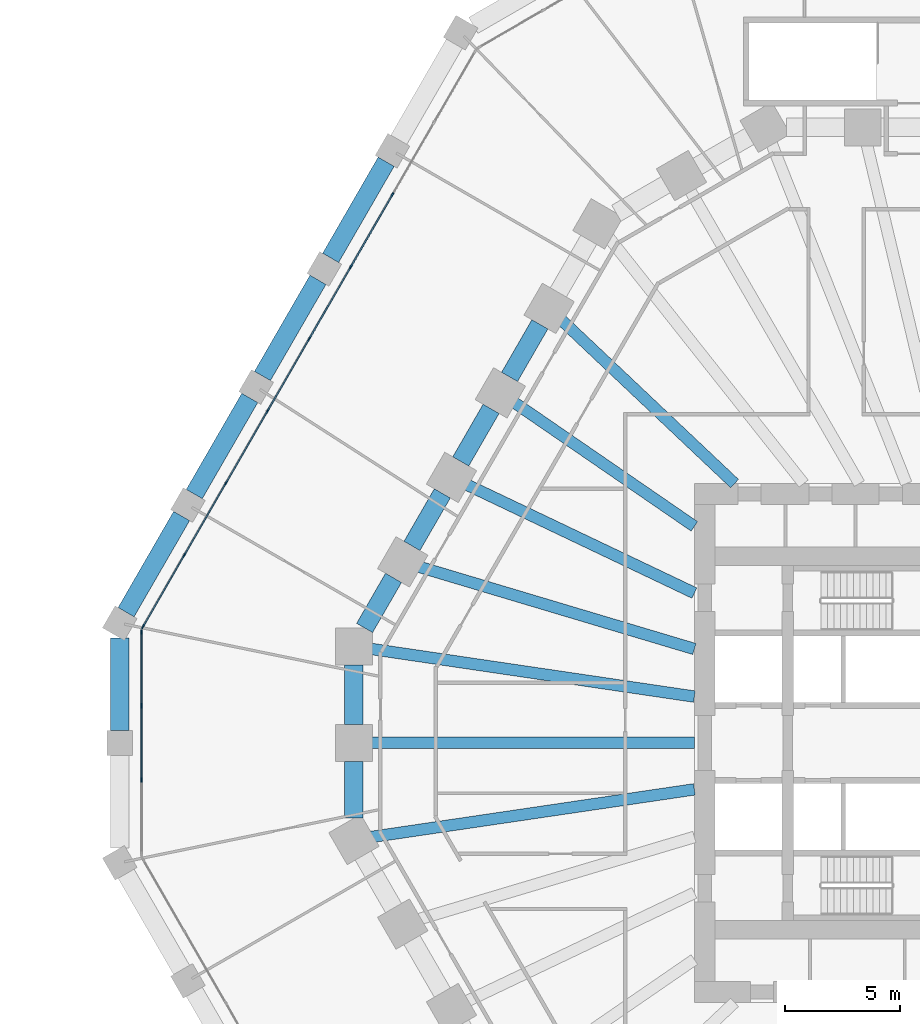
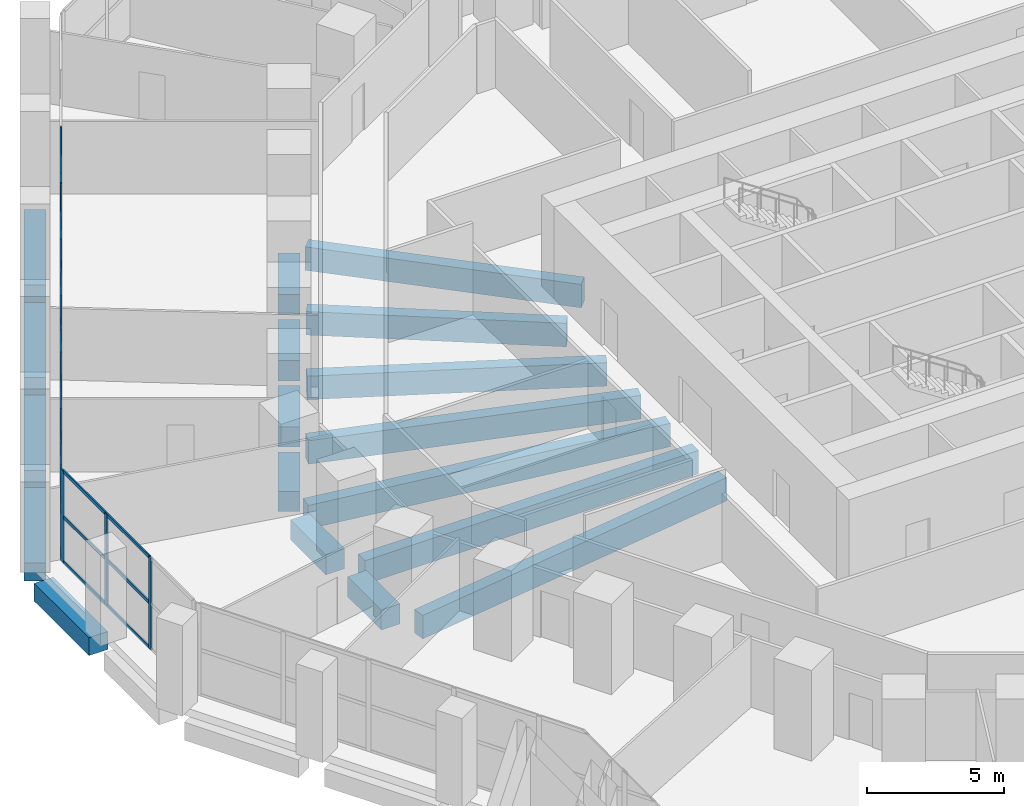
# One storey, part 6 of 38: 34 members, 18 beams, 2 elements without a shape of their own.
"""IFC4 building model written with IfcOpenShell, lengths in metres."""

from ifc_helpers import new_model, si_unit, direction, frame, origin, origin_2d, place, context, subcontext, project, spatial, rectangle, extrude, material, material_profile, profile_set, type_object, element, aggregate, save


model = new_model("IFC4")

# Units and contexts
model_context = context("Model", 3, precision=1e-05, world=origin(), true_north=direction((0.0, 1.0)))
body_context = subcontext(model_context, "Body", "Model", "MODEL_VIEW")
ifc_project = project(units=[si_unit("LENGTHUNIT", "METRE"), si_unit("AREAUNIT", "SQUARE_METRE"), si_unit("VOLUMEUNIT", "CUBIC_METRE"), si_unit("PLANEANGLEUNIT", "RADIAN"), si_unit("MASSUNIT", "GRAM", prefix="KILO")], contexts=[model_context])

# Site, building, storey
site_placement = place(None, origin())
site = spatial("IfcSite", under=ifc_project, at=site_placement, CompositionType="ELEMENT")
building_placement = place(site_placement, origin())
building = spatial("IfcBuilding", under=site, at=building_placement, Name="Frailejon Research Tower", CompositionType="ELEMENT")
storey_placement = place(building_placement, frame((0.0, 0.0, 10.199951171875)))
storey = spatial("IfcBuildingStorey", under=building, at=storey_placement, Name="L02", CompositionType="ELEMENT", Elevation=10.199951171875)

# Beams
ifc_material_1 = material(Name="Concrete C60/75", Category="concrete")
ifc_material_profile_1 = material_profile(ifc_material_1, rectangle(XDim=0.800048828125, YDim=0.800048828125, at=origin_2d()), Name="Base ring beam")
ifc_profile_set_1 = profile_set([ifc_material_profile_1], Name="Concrete C60/75")
beam_type_1 = type_object("IfcBeamType", Name="Base ring beam", PredefinedType="BEAM", material=ifc_profile_set_1)
for number, where, z_axis, x_axis, name in (
    (1, (-27.0166015625, 25.2060546875, -0.75), (-0.50000634465, -0.866021740668, 0.0), (0.866021740668, -0.50000634465, 0.0), "Base ring beam"),
    (2, (-29.973388671875, 20.08447265625, -0.75), (-0.50000634465, -0.866021740668, 0.0), (0.866021740668, -0.50000634465, 0.0), "Base ring beam"),
    (3, (-32.930419921875, 14.962890625, -0.75), (-0.50000634465, -0.866021740668, 0.0), (0.866021740668, -0.50000634465, 0.0), "Base ring beam"),
):
    element("IfcBeam", number, at=place(storey_placement, frame(where, z_axis=z_axis, x_axis=x_axis)), inside=storey, type_object=beam_type_1, Name=name, PredefinedType="BEAM", context=body_context, shape_type="SweptSolid", body=[
        extrude(rectangle(XDim=0.800048828125, YDim=0.800048828125, at=origin_2d()), origin(), (0.0, 0.0, 1.0), 4.81396484375),
    ])
beam_1_placement = place(storey_placement, frame((-35.88720703125, 9.84130859375, -0.75), z_axis=(-0.500028306193, -0.866009060579, 0.0), x_axis=(0.866009060579, -0.500028306193, 0.0)))
element("IfcBeam", 4, at=beam_1_placement, inside=storey, type_object=beam_type_1, Name="Base ring beam", PredefinedType="BEAM", context=body_context, shape_type="SweptSolid", body=[
    extrude(rectangle(XDim=0.800048828125, YDim=0.800048828125, at=origin_2d()), origin(), (0.0, 0.0, 1.0), 4.813720703125),
])
beam_2_placement = place(storey_placement, frame((-38.569091796875, 4.56103515625, -0.75), z_axis=(0.0, -1.0, 0.0), x_axis=(1.0, 0.0, 0.0)))
element("IfcBeam", 5, at=beam_2_placement, inside=storey, type_object=beam_type_1, Name="Base ring beam", PredefinedType="BEAM", context=body_context, shape_type="SweptSolid", body=[
    extrude(rectangle(XDim=0.800048828125, YDim=0.800048828125, at=origin_2d()), origin(), (0.0, 0.0, 1.0), 4.010986328125),
])
ifc_material_2 = material(Name="Concrete C60/75", Category="concrete")
ifc_material_profile_2 = material_profile(ifc_material_2, rectangle(XDim=0.5, YDim=1.050048828125, at=origin_2d()), Name="Girder 500x1050")
ifc_profile_set_2 = profile_set([ifc_material_profile_2], Name="Concrete C60/75")
beam_type_2 = type_object("IfcBeamType", Name="Girder 500x1050", PredefinedType="BEAM", material=ifc_profile_set_2)
beam_3_placement = place(storey_placement, frame((-19.460205078125, 18.3857421875, -0.875), z_axis=(0.72688803019, -0.686755991285, 0.0), x_axis=(0.686755991285, 0.72688803019, 0.0)))
element("IfcBeam", 6, at=beam_3_placement, inside=storey, type_object=beam_type_2, Name="Girder 500x1050", PredefinedType="BEAM", context=body_context, shape_type="SweptSolid", body=[
    extrude(rectangle(XDim=0.5, YDim=1.050048828125, at=origin_2d()), origin(), (0.0, 0.0, 1.0), 10.390625),
])
beam_4_placement = place(storey_placement, frame((-21.52734375, 14.8125, -0.875), z_axis=(0.823825821578, -0.566843025626, 0.0), x_axis=(0.566843025626, 0.823825821578, 0.0)))
element("IfcBeam", 7, at=beam_4_placement, inside=storey, type_object=beam_type_2, Name="Girder 500x1050", PredefinedType="BEAM", context=body_context, shape_type="SweptSolid", body=[
    extrude(rectangle(XDim=0.5, YDim=1.050048828125, at=origin_2d()), origin(), (0.0, 0.0, 1.0), 9.56201171875),
])
beam_5_placement = place(storey_placement, frame((-23.591796875, 11.23681640625, -0.875), z_axis=(0.902829780982, -0.429998123917, 0.0), x_axis=(0.429998123917, 0.902829780982, 0.0)))
element("IfcBeam", 8, at=beam_5_placement, inside=storey, type_object=beam_type_2, Name="Girder 500x1050", PredefinedType="BEAM", context=body_context, shape_type="SweptSolid", body=[
    extrude(rectangle(XDim=0.5, YDim=1.050048828125, at=origin_2d()), origin(), (0.0, 0.0, 1.0), 11.011962890625),
])
beam_6_placement = place(storey_placement, frame((-25.652587890625, 7.66015625, -0.875), z_axis=(0.958189747387, -0.286133549242, 0.0), x_axis=(0.286133549242, 0.958189747387, 0.0)))
element("IfcBeam", 9, at=beam_6_placement, inside=storey, type_object=beam_type_2, Name="Girder 500x1050", PredefinedType="BEAM", context=body_context, shape_type="SweptSolid", body=[
    extrude(rectangle(XDim=0.5, YDim=1.050048828125, at=origin_2d()), origin(), (0.0, 0.0, 1.0), 12.5263671875),
])
beam_7_placement = place(storey_placement, frame((-27.76123046875, 4.091552734375, -0.875), z_axis=(0.989312272049, -0.145812305287, 0.0), x_axis=(0.145812305287, 0.989312272049, 0.0)))
element("IfcBeam", 10, at=beam_7_placement, inside=storey, type_object=beam_type_2, Name="Girder 500x1050", PredefinedType="BEAM", context=body_context, shape_type="SweptSolid", body=[
    extrude(rectangle(XDim=0.5, YDim=1.050048828125, at=origin_2d()), origin(), (0.0, 0.0, 1.0), 14.263671875),
])
beam_8_placement = place(storey_placement, frame((-27.7626953125, 0.0, -0.875), z_axis=(1.0, 0.0, 0.0), x_axis=(0.0, 1.0, 0.0)))
element("IfcBeam", 11, at=beam_8_placement, inside=storey, type_object=beam_type_2, Name="Girder 500x1050", PredefinedType="BEAM", context=body_context, shape_type="SweptSolid", body=[
    extrude(rectangle(XDim=0.5, YDim=1.050048828125, at=origin_2d()), origin(), (0.0, 0.0, 1.0), 14.11279296875),
])
beam_9_placement = place(storey_placement, frame((-27.7099609375, -4.083984375, -0.875), z_axis=(0.989312392522, 0.145811487893, 0.0), x_axis=(-0.145811487893, 0.989312392522, 0.0)))
element("IfcBeam", 12, at=beam_9_placement, inside=storey, type_object=beam_type_2, Name="Girder 500x1050", PredefinedType="BEAM", context=body_context, shape_type="SweptSolid", body=[
    extrude(rectangle(XDim=0.5, YDim=1.050048828125, at=origin_2d()), origin(), (0.0, 0.0, 1.0), 14.2119140625),
])
ifc_material_3 = material(Name="Concrete C60/75", Category="concrete")
ifc_material_profile_3 = material_profile(ifc_material_3, rectangle(XDim=0.800048828125, YDim=0.89990234375, at=origin_2d()), Name="Podium ring beam")
ifc_profile_set_3 = profile_set([ifc_material_profile_3], Name="Concrete C60/75")
beam_type_3 = type_object("IfcBeamType", Name="Podium ring beam", PredefinedType="BEAM", material=ifc_profile_set_3)
beam_10_placement = place(storey_placement, frame((-20.348876953125, 18.15478515625, -0.800048828125), z_axis=(-0.499949948743, -0.866054298963, 0.0), x_axis=(0.866054298963, -0.499949948743, 0.0)))
element("IfcBeam", 13, at=beam_10_placement, inside=storey, type_object=beam_type_3, Name="Podium ring beam", PredefinedType="BEAM", context=body_context, shape_type="SweptSolid", body=[
    extrude(rectangle(XDim=0.800048828125, YDim=0.89990234375, at=origin_2d()), origin(), (0.0, 0.0, 1.0), 2.632080078125),
])
beam_11_placement = place(storey_placement, frame((-22.46484375, 14.48974609375, -0.800048828125), z_axis=(-0.500019514865, -0.866014136579, 0.0), x_axis=(0.866014136579, -0.500019514865, 0.0)))
element("IfcBeam", 14, at=beam_11_placement, inside=storey, type_object=beam_type_3, Name="Podium ring beam", PredefinedType="BEAM", context=body_context, shape_type="SweptSolid", body=[
    extrude(rectangle(XDim=0.800048828125, YDim=0.89990234375, at=origin_2d()), origin(), (0.0, 0.0, 1.0), 2.63232421875),
])
beam_12_placement = place(storey_placement, frame((-24.580810546875, 10.82470703125, -0.800048828125), z_axis=(-0.499990112884, -0.866031112038, 0.0), x_axis=(0.866031112038, -0.499990112884, 0.0)))
element("IfcBeam", 15, at=beam_12_placement, inside=storey, type_object=beam_type_3, Name="Podium ring beam", PredefinedType="BEAM", context=body_context, shape_type="SweptSolid", body=[
    extrude(rectangle(XDim=0.800048828125, YDim=0.89990234375, at=origin_2d()), origin(), (0.0, 0.0, 1.0), 2.6318359375),
])
beam_13_placement = place(storey_placement, frame((-26.69677734375, 7.15966796875, -0.800048828125), z_axis=(-0.500022970635, -0.866012141276, 0.0), x_axis=(0.866012141276, -0.500022970635, 0.0)))
element("IfcBeam", 16, at=beam_13_placement, inside=storey, type_object=beam_type_3, Name="Podium ring beam", PredefinedType="BEAM", context=body_context, shape_type="SweptSolid", body=[
    extrude(rectangle(XDim=0.800048828125, YDim=0.89990234375, at=origin_2d()), origin(), (0.0, 0.0, 1.0), 2.50830078125),
])
beam_14_placement = place(storey_placement, frame((-28.412841796875, 3.3876953125, -0.800048828125), z_axis=(0.0, -1.0, 0.0), x_axis=(1.0, 0.0, 0.0)))
element("IfcBeam", 17, at=beam_14_placement, inside=storey, type_object=beam_type_3, Name="Podium ring beam", PredefinedType="BEAM", context=body_context, shape_type="SweptSolid", body=[
    extrude(rectangle(XDim=0.800048828125, YDim=0.89990234375, at=origin_2d()), origin(), (0.0, 0.0, 1.0), 2.587646484375),
])
beam_15_placement = place(storey_placement, frame((-28.412841796875, -0.800048828125, -0.800048828125), z_axis=(0.0, -1.0, 0.0), x_axis=(1.0, 0.0, 0.0)))
element("IfcBeam", 18, at=beam_15_placement, inside=storey, type_object=beam_type_3, Name="Podium ring beam", PredefinedType="BEAM", context=body_context, shape_type="SweptSolid", body=[
    extrude(rectangle(XDim=0.800048828125, YDim=0.89990234375, at=origin_2d()), origin(), (0.0, 0.0, 1.0), 2.4638671875),
])

# Curtain wall, members
ifc_material_4 = material(Name="Aluminium curtain wall", Category="aluminium")
curtain_wall_type = type_object("IfcCurtainWallType", Name="Podium stick curtain wall system", PredefinedType="NOTDEFINED", material=ifc_material_4)
curtain_wall_1_placement = place(storey_placement, origin())
curtain_wall_1 = element("IfcCurtainWall", 19, at=curtain_wall_1_placement, inside=storey, type_object=curtain_wall_type, Name="Curtain wall L02", PredefinedType="NOTDEFINED")
ifc_material_5 = material(Name="Aluminium extrusion", Category="aluminium")
ifc_material_profile_4 = material_profile(ifc_material_5, rectangle(XDim=0.06005859375, YDim=0.199951171875, at=origin_2d()), Name="Podium stick curtain wall mullion 60x200")
ifc_profile_set_4 = profile_set([ifc_material_profile_4], Name="Aluminium extrusion")
member_type_1 = type_object("IfcMemberType", Name="Podium stick curtain wall mullion 60x200", PredefinedType="MULLION", material=ifc_profile_set_4)
member_1_placement = place(storey_placement, frame((-26.74658203125, 23.7734375, 0.0), z_axis=(0.0, 0.0, 1.0), x_axis=(0.86602632934, -0.499998396888, 0.0)))
member_1 = element("IfcMember", 20, at=member_1_placement, type_object=member_type_1, Name="CW2-038 mullion 3", PredefinedType="MULLION", context=body_context, shape_type="SweptSolid", body=[
    extrude(rectangle(XDim=0.06005859375, YDim=0.199951171875, at=origin_2d()), origin(), (0.0, 0.0, 1.0), 4.10009765625),
])
member_2_placement = place(storey_placement, frame((-28.550537109375, 20.649169921875, 0.0), z_axis=(0.0, 0.0, 1.0), x_axis=(0.86602632934, -0.499998396888, 0.0)))
member_2 = element("IfcMember", 21, at=member_2_placement, type_object=member_type_1, Name="CW2-038 mullion 4", PredefinedType="MULLION", context=body_context, shape_type="SweptSolid", body=[
    extrude(rectangle(XDim=0.06005859375, YDim=0.199951171875, at=origin_2d()), origin(), (0.0, 0.0, 1.0), 4.10009765625),
])
member_3_placement = place(storey_placement, frame((-30.354248046875, 17.52490234375, 0.0), z_axis=(0.0, 0.0, 1.0), x_axis=(0.86602632934, -0.499998396888, 0.0)))
member_3 = element("IfcMember", 22, at=member_3_placement, type_object=member_type_1, Name="CW2-038 mullion 5", PredefinedType="MULLION", context=body_context, shape_type="SweptSolid", body=[
    extrude(rectangle(XDim=0.06005859375, YDim=0.199951171875, at=origin_2d()), origin(), (0.0, 0.0, 1.0), 4.10009765625),
])
member_4_placement = place(storey_placement, frame((-32.157958984375, 14.40087890625, 0.0), z_axis=(0.0, 0.0, 1.0), x_axis=(0.86602632934, -0.499998396888, 0.0)))
member_4 = element("IfcMember", 23, at=member_4_placement, type_object=member_type_1, Name="CW2-038 mullion 6", PredefinedType="MULLION", context=body_context, shape_type="SweptSolid", body=[
    extrude(rectangle(XDim=0.06005859375, YDim=0.199951171875, at=origin_2d()), origin(), (0.0, 0.0, 1.0), 4.10009765625),
])
member_5_placement = place(storey_placement, frame((-33.961669921875, 11.276611328125, 0.0), z_axis=(0.0, 0.0, 1.0), x_axis=(0.86602632934, -0.499998396888, 0.0)))
member_5 = element("IfcMember", 24, at=member_5_placement, type_object=member_type_1, Name="CW2-038 mullion 7", PredefinedType="MULLION", context=body_context, shape_type="SweptSolid", body=[
    extrude(rectangle(XDim=0.06005859375, YDim=0.199951171875, at=origin_2d()), origin(), (0.0, 0.0, 1.0), 4.10009765625),
])
member_6_placement = place(storey_placement, frame((-35.765380859375, 8.15234375, 0.0), z_axis=(0.0, 0.0, 1.0), x_axis=(0.86602632934, -0.499998396888, 0.0)))
member_6 = element("IfcMember", 25, at=member_6_placement, type_object=member_type_1, Name="CW2-038 mullion 8", PredefinedType="MULLION", context=body_context, shape_type="SweptSolid", body=[
    extrude(rectangle(XDim=0.06005859375, YDim=0.199951171875, at=origin_2d()), origin(), (0.0, 0.0, 1.0), 4.10009765625),
])
member_7_placement = place(storey_placement, frame((-37.55419921875, 5.05419921875, 0.0), z_axis=(0.0, 0.0, 1.0), x_axis=(0.86602632934, -0.499998396888, 0.0)))
member_7 = element("IfcMember", 26, at=member_7_placement, type_object=member_type_1, Name="CW2-038 mullion 9", PredefinedType="MULLION", context=body_context, shape_type="SweptSolid", body=[
    extrude(rectangle(XDim=0.06005859375, YDim=0.199951171875, at=origin_2d()), origin(), (0.0, 0.0, 1.0), 4.10009765625),
])

curtain_wall_2_placement = place(storey_placement, origin())
curtain_wall_2 = element("IfcCurtainWall", 27, at=curtain_wall_2_placement, inside=storey, type_object=curtain_wall_type, Name="Curtain wall L02", PredefinedType="NOTDEFINED")
member_8_placement = place(storey_placement, frame((-37.619140625, 4.8115234375, 0.0), z_axis=(0.0, 0.0, 1.0), x_axis=(1.0, 0.0, 0.0)))
member_8 = element("IfcMember", 28, at=member_8_placement, type_object=member_type_1, Name="CW2-039 mullion 1", PredefinedType="MULLION", context=body_context, shape_type="SweptSolid", body=[
    extrude(rectangle(XDim=0.06005859375, YDim=0.199951171875, at=origin_2d()), origin(), (0.0, 0.0, 1.0), 4.10009765625),
])
member_9_placement = place(storey_placement, frame((-37.619140625, 1.61376953125, 0.0), z_axis=(0.0, 0.0, 1.0), x_axis=(1.0, 0.0, 0.0)))
member_9 = element("IfcMember", 29, at=member_9_placement, type_object=member_type_1, Name="CW2-039 mullion 2", PredefinedType="MULLION", context=body_context, shape_type="SweptSolid", body=[
    extrude(rectangle(XDim=0.06005859375, YDim=0.199951171875, at=origin_2d()), origin(), (0.0, 0.0, 1.0), 4.10009765625),
])
member_10_placement = place(storey_placement, frame((-37.619140625, -1.61376953125, 0.0), z_axis=(0.0, 0.0, 1.0), x_axis=(1.0, 0.0, 0.0)))
member_10 = element("IfcMember", 30, at=member_10_placement, type_object=member_type_1, Name="CW2-039 mullion 3", PredefinedType="MULLION", context=body_context, shape_type="SweptSolid", body=[
    extrude(rectangle(XDim=0.06005859375, YDim=0.199951171875, at=origin_2d()), origin(), (0.0, 0.0, 1.0), 4.10009765625),
])

# Member
ifc_material_6 = material(Name="Aluminium extrusion", Category="aluminium")
ifc_material_profile_5 = material_profile(ifc_material_6, rectangle(XDim=0.06005859375, YDim=0.14990234375, at=origin_2d()), Name="Podium stick curtain wall transom 60x150")
ifc_profile_set_5 = profile_set([ifc_material_profile_5], Name="Aluminium extrusion")
member_type_2 = type_object("IfcMemberType", Name="Podium stick curtain wall transom 60x150", PredefinedType="USERDEFINED", material=ifc_profile_set_5)
member_11_placement = place(storey_placement, frame((-26.76171875, 23.747314453125, 0.030029296875), z_axis=(-0.500010404316, -0.866019396766, 0.0), x_axis=(0.866019396766, -0.500010404316, 0.0)))
member_11 = element("IfcMember", 31, at=member_11_placement, type_object=member_type_2, Name="CW2-038 transom 3.1", ObjectType="TRANSOM", PredefinedType="USERDEFINED", context=body_context, shape_type="SweptSolid", body=[
    extrude(rectangle(XDim=0.06005859375, YDim=0.14990234375, at=origin_2d()), origin(), (0.0, 0.0, 1.0), 3.54736328125),
])

member_12_placement = place(storey_placement, frame((-26.76171875, 23.747314453125, 2.050048828125), z_axis=(-0.500010404316, -0.866019396766, 0.0), x_axis=(0.866019396766, -0.500010404316, 0.0)))
member_12 = element("IfcMember", 32, at=member_12_placement, type_object=member_type_2, Name="CW2-038 transom 3.2", ObjectType="TRANSOM", PredefinedType="USERDEFINED", context=body_context, shape_type="SweptSolid", body=[
    extrude(rectangle(XDim=0.06005859375, YDim=0.14990234375, at=origin_2d()), origin(), (0.0, 0.0, 1.0), 3.54736328125),
])

member_13_placement = place(storey_placement, frame((-26.76171875, 23.747314453125, 4.070068359375), z_axis=(-0.500010404316, -0.866019396766, 0.0), x_axis=(0.866019396766, -0.500010404316, 0.0)))
member_13 = element("IfcMember", 33, at=member_13_placement, type_object=member_type_2, Name="CW2-038 transom 3.3", ObjectType="TRANSOM", PredefinedType="USERDEFINED", context=body_context, shape_type="SweptSolid", body=[
    extrude(rectangle(XDim=0.06005859375, YDim=0.14990234375, at=origin_2d()), origin(), (0.0, 0.0, 1.0), 3.54736328125),
])

member_14_placement = place(storey_placement, frame((-28.5654296875, 20.623291015625, 0.030029296875), z_axis=(-0.499980603476, -0.866036602083, 0.0), x_axis=(0.866036602083, -0.499980603476, 0.0)))
member_14 = element("IfcMember", 34, at=member_14_placement, type_object=member_type_2, Name="CW2-038 transom 4.1", ObjectType="TRANSOM", PredefinedType="USERDEFINED", context=body_context, shape_type="SweptSolid", body=[
    extrude(rectangle(XDim=0.06005859375, YDim=0.14990234375, at=origin_2d()), origin(), (0.0, 0.0, 1.0), 3.547607421875),
])

member_15_placement = place(storey_placement, frame((-28.5654296875, 20.623291015625, 2.050048828125), z_axis=(-0.499980603476, -0.866036602083, 0.0), x_axis=(0.866036602083, -0.499980603476, 0.0)))
member_15 = element("IfcMember", 35, at=member_15_placement, type_object=member_type_2, Name="CW2-038 transom 4.2", ObjectType="TRANSOM", PredefinedType="USERDEFINED", context=body_context, shape_type="SweptSolid", body=[
    extrude(rectangle(XDim=0.06005859375, YDim=0.14990234375, at=origin_2d()), origin(), (0.0, 0.0, 1.0), 3.547607421875),
])

member_16_placement = place(storey_placement, frame((-28.5654296875, 20.623291015625, 4.070068359375), z_axis=(-0.499980603476, -0.866036602083, 0.0), x_axis=(0.866036602083, -0.499980603476, 0.0)))
member_16 = element("IfcMember", 36, at=member_16_placement, type_object=member_type_2, Name="CW2-038 transom 4.3", ObjectType="TRANSOM", PredefinedType="USERDEFINED", context=body_context, shape_type="SweptSolid", body=[
    extrude(rectangle(XDim=0.06005859375, YDim=0.14990234375, at=origin_2d()), origin(), (0.0, 0.0, 1.0), 3.547607421875),
])

member_17_placement = place(storey_placement, frame((-30.369140625, 17.4990234375, 0.030029296875), z_axis=(-0.500032217487, -0.86600680221, 0.0), x_axis=(0.86600680221, -0.500032217487, 0.0)))
member_17 = element("IfcMember", 37, at=member_17_placement, type_object=member_type_2, Name="CW2-038 transom 5.1", ObjectType="TRANSOM", PredefinedType="USERDEFINED", context=body_context, shape_type="SweptSolid", body=[
    extrude(rectangle(XDim=0.06005859375, YDim=0.14990234375, at=origin_2d()), origin(), (0.0, 0.0, 1.0), 3.547607421875),
])

member_18_placement = place(storey_placement, frame((-30.369140625, 17.4990234375, 2.050048828125), z_axis=(-0.500032217487, -0.86600680221, 0.0), x_axis=(0.86600680221, -0.500032217487, 0.0)))
member_18 = element("IfcMember", 38, at=member_18_placement, type_object=member_type_2, Name="CW2-038 transom 5.2", ObjectType="TRANSOM", PredefinedType="USERDEFINED", context=body_context, shape_type="SweptSolid", body=[
    extrude(rectangle(XDim=0.06005859375, YDim=0.14990234375, at=origin_2d()), origin(), (0.0, 0.0, 1.0), 3.547607421875),
])

member_19_placement = place(storey_placement, frame((-30.369140625, 17.4990234375, 4.070068359375), z_axis=(-0.500032217487, -0.86600680221, 0.0), x_axis=(0.86600680221, -0.500032217487, 0.0)))
member_19 = element("IfcMember", 39, at=member_19_placement, type_object=member_type_2, Name="CW2-038 transom 5.3", ObjectType="TRANSOM", PredefinedType="USERDEFINED", context=body_context, shape_type="SweptSolid", body=[
    extrude(rectangle(XDim=0.06005859375, YDim=0.14990234375, at=origin_2d()), origin(), (0.0, 0.0, 1.0), 3.547607421875),
])

member_20_placement = place(storey_placement, frame((-32.1728515625, 14.374755859375, 0.030029296875), z_axis=(-0.500032217487, -0.86600680221, 0.0), x_axis=(0.86600680221, -0.500032217487, 0.0)))
member_20 = element("IfcMember", 40, at=member_20_placement, type_object=member_type_2, Name="CW2-038 transom 6.1", ObjectType="TRANSOM", PredefinedType="USERDEFINED", context=body_context, shape_type="SweptSolid", body=[
    extrude(rectangle(XDim=0.06005859375, YDim=0.14990234375, at=origin_2d()), origin(), (0.0, 0.0, 1.0), 3.547607421875),
])

member_21_placement = place(storey_placement, frame((-32.1728515625, 14.374755859375, 2.050048828125), z_axis=(-0.500032217487, -0.86600680221, 0.0), x_axis=(0.86600680221, -0.500032217487, 0.0)))
member_21 = element("IfcMember", 41, at=member_21_placement, type_object=member_type_2, Name="CW2-038 transom 6.2", ObjectType="TRANSOM", PredefinedType="USERDEFINED", context=body_context, shape_type="SweptSolid", body=[
    extrude(rectangle(XDim=0.06005859375, YDim=0.14990234375, at=origin_2d()), origin(), (0.0, 0.0, 1.0), 3.547607421875),
])

member_22_placement = place(storey_placement, frame((-32.1728515625, 14.374755859375, 4.070068359375), z_axis=(-0.500032217487, -0.86600680221, 0.0), x_axis=(0.86600680221, -0.500032217487, 0.0)))
member_22 = element("IfcMember", 42, at=member_22_placement, type_object=member_type_2, Name="CW2-038 transom 6.3", ObjectType="TRANSOM", PredefinedType="USERDEFINED", context=body_context, shape_type="SweptSolid", body=[
    extrude(rectangle(XDim=0.06005859375, YDim=0.14990234375, at=origin_2d()), origin(), (0.0, 0.0, 1.0), 3.547607421875),
])

member_23_placement = place(storey_placement, frame((-33.976806640625, 11.250732421875, 0.030029296875), z_axis=(-0.499980603476, -0.866036602083, 0.0), x_axis=(0.866036602083, -0.499980603476, 0.0)))
member_23 = element("IfcMember", 43, at=member_23_placement, type_object=member_type_2, Name="CW2-038 transom 7.1", ObjectType="TRANSOM", PredefinedType="USERDEFINED", context=body_context, shape_type="SweptSolid", body=[
    extrude(rectangle(XDim=0.06005859375, YDim=0.14990234375, at=origin_2d()), origin(), (0.0, 0.0, 1.0), 3.547607421875),
])

member_24_placement = place(storey_placement, frame((-33.976806640625, 11.250732421875, 2.050048828125), z_axis=(-0.499980603476, -0.866036602083, 0.0), x_axis=(0.866036602083, -0.499980603476, 0.0)))
member_24 = element("IfcMember", 44, at=member_24_placement, type_object=member_type_2, Name="CW2-038 transom 7.2", ObjectType="TRANSOM", PredefinedType="USERDEFINED", context=body_context, shape_type="SweptSolid", body=[
    extrude(rectangle(XDim=0.06005859375, YDim=0.14990234375, at=origin_2d()), origin(), (0.0, 0.0, 1.0), 3.547607421875),
])

member_25_placement = place(storey_placement, frame((-33.976806640625, 11.250732421875, 4.070068359375), z_axis=(-0.499980603476, -0.866036602083, 0.0), x_axis=(0.866036602083, -0.499980603476, 0.0)))
member_25 = element("IfcMember", 45, at=member_25_placement, type_object=member_type_2, Name="CW2-038 transom 7.3", ObjectType="TRANSOM", PredefinedType="USERDEFINED", context=body_context, shape_type="SweptSolid", body=[
    extrude(rectangle(XDim=0.06005859375, YDim=0.14990234375, at=origin_2d()), origin(), (0.0, 0.0, 1.0), 3.547607421875),
])

member_26_placement = place(storey_placement, frame((-35.780517578125, 8.12646484375, 0.030029296875), z_axis=(-0.499990804263, -0.866030712881, 0.0), x_axis=(0.866030712881, -0.499990804263, 0.0)))
member_26 = element("IfcMember", 46, at=member_26_placement, type_object=member_type_2, Name="CW2-038 transom 8.1", ObjectType="TRANSOM", PredefinedType="USERDEFINED", context=body_context, shape_type="SweptSolid", body=[
    extrude(rectangle(XDim=0.06005859375, YDim=0.14990234375, at=origin_2d()), origin(), (0.0, 0.0, 1.0), 3.517578125),
])

member_27_placement = place(storey_placement, frame((-35.780517578125, 8.12646484375, 2.050048828125), z_axis=(-0.499990804263, -0.866030712881, 0.0), x_axis=(0.866030712881, -0.499990804263, 0.0)))
member_27 = element("IfcMember", 47, at=member_27_placement, type_object=member_type_2, Name="CW2-038 transom 8.2", ObjectType="TRANSOM", PredefinedType="USERDEFINED", context=body_context, shape_type="SweptSolid", body=[
    extrude(rectangle(XDim=0.06005859375, YDim=0.14990234375, at=origin_2d()), origin(), (0.0, 0.0, 1.0), 3.517578125),
])

member_28_placement = place(storey_placement, frame((-35.780517578125, 8.12646484375, 4.070068359375), z_axis=(-0.499990804263, -0.866030712881, 0.0), x_axis=(0.866030712881, -0.499990804263, 0.0)))
member_28 = element("IfcMember", 48, at=member_28_placement, type_object=member_type_2, Name="CW2-038 transom 8.3", ObjectType="TRANSOM", PredefinedType="USERDEFINED", context=body_context, shape_type="SweptSolid", body=[
    extrude(rectangle(XDim=0.06005859375, YDim=0.14990234375, at=origin_2d()), origin(), (0.0, 0.0, 1.0), 3.517578125),
])

aggregate(curtain_wall_1, [member_1, member_2, member_3, member_4, member_5, member_6, member_7, member_11, member_12, member_13, member_14, member_15, member_16, member_17, member_18, member_19, member_20, member_21, member_22, member_23, member_24, member_25, member_26, member_27, member_28])

member_29_placement = place(storey_placement, frame((-37.619140625, 4.781494140625, 0.030029296875), z_axis=(0.0, -1.0, 0.0), x_axis=(1.0, 0.0, 0.0)))
member_29 = element("IfcMember", 49, at=member_29_placement, type_object=member_type_2, Name="CW2-039 transom 1.1", ObjectType="TRANSOM", PredefinedType="USERDEFINED", context=body_context, shape_type="SweptSolid", body=[
    extrude(rectangle(XDim=0.06005859375, YDim=0.14990234375, at=origin_2d()), origin(), (0.0, 0.0, 1.0), 3.1376953125),
])

member_30_placement = place(storey_placement, frame((-37.619140625, 4.781494140625, 2.050048828125), z_axis=(0.0, -1.0, 0.0), x_axis=(1.0, 0.0, 0.0)))
member_30 = element("IfcMember", 50, at=member_30_placement, type_object=member_type_2, Name="CW2-039 transom 1.2", ObjectType="TRANSOM", PredefinedType="USERDEFINED", context=body_context, shape_type="SweptSolid", body=[
    extrude(rectangle(XDim=0.06005859375, YDim=0.14990234375, at=origin_2d()), origin(), (0.0, 0.0, 1.0), 3.1376953125),
])

member_31_placement = place(storey_placement, frame((-37.619140625, 4.781494140625, 4.070068359375), z_axis=(0.0, -1.0, 0.0), x_axis=(1.0, 0.0, 0.0)))
member_31 = element("IfcMember", 51, at=member_31_placement, type_object=member_type_2, Name="CW2-039 transom 1.3", ObjectType="TRANSOM", PredefinedType="USERDEFINED", context=body_context, shape_type="SweptSolid", body=[
    extrude(rectangle(XDim=0.06005859375, YDim=0.14990234375, at=origin_2d()), origin(), (0.0, 0.0, 1.0), 3.1376953125),
])

member_32_placement = place(storey_placement, frame((-37.619140625, 1.583984375, 0.030029296875), z_axis=(0.0, -1.0, 0.0), x_axis=(1.0, 0.0, 0.0)))
member_32 = element("IfcMember", 52, at=member_32_placement, type_object=member_type_2, Name="CW2-039 transom 2.1", ObjectType="TRANSOM", PredefinedType="USERDEFINED", context=body_context, shape_type="SweptSolid", body=[
    extrude(rectangle(XDim=0.06005859375, YDim=0.14990234375, at=origin_2d()), origin(), (0.0, 0.0, 1.0), 3.16796875),
])

member_33_placement = place(storey_placement, frame((-37.619140625, 1.583984375, 2.050048828125), z_axis=(0.0, -1.0, 0.0), x_axis=(1.0, 0.0, 0.0)))
member_33 = element("IfcMember", 53, at=member_33_placement, type_object=member_type_2, Name="CW2-039 transom 2.2", ObjectType="TRANSOM", PredefinedType="USERDEFINED", context=body_context, shape_type="SweptSolid", body=[
    extrude(rectangle(XDim=0.06005859375, YDim=0.14990234375, at=origin_2d()), origin(), (0.0, 0.0, 1.0), 3.16796875),
])

member_34_placement = place(storey_placement, frame((-37.619140625, 1.583984375, 4.070068359375), z_axis=(0.0, -1.0, 0.0), x_axis=(1.0, 0.0, 0.0)))
member_34 = element("IfcMember", 54, at=member_34_placement, type_object=member_type_2, Name="CW2-039 transom 2.3", ObjectType="TRANSOM", PredefinedType="USERDEFINED", context=body_context, shape_type="SweptSolid", body=[
    extrude(rectangle(XDim=0.06005859375, YDim=0.14990234375, at=origin_2d()), origin(), (0.0, 0.0, 1.0), 3.16796875),
])

aggregate(curtain_wall_2, [member_8, member_9, member_10, member_29, member_30, member_31, member_32, member_33, member_34])

save(model, "model.ifc")
